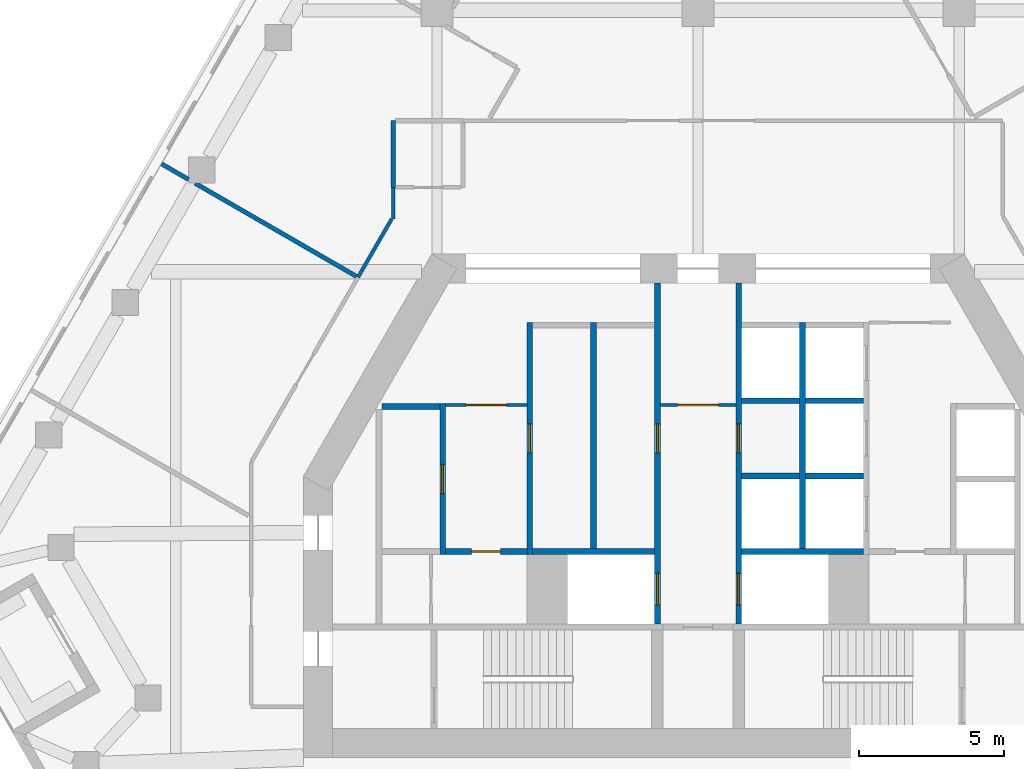
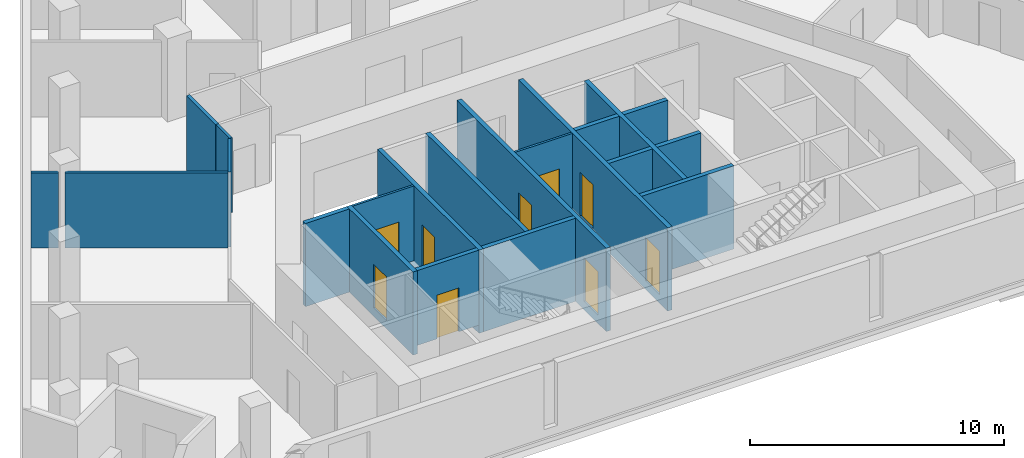
# One storey, part 3 of 8: 21 walls, 9 doors, 9 openings.
"""IFC4 building model written with IfcOpenShell, lengths in metres."""

from ifc_helpers import new_model, si_unit, direction, frame, frame_2d, origin, place, context, subcontext, project, spatial, rectangle, extrude, material, layer, layer_set, type_object, element, fill, save


model = new_model("IFC4")

# Units and contexts
model_context = context("Model", 3, precision=1e-05, world=origin(), true_north=direction((0.0, 1.0)))
body_context = subcontext(model_context, "Body", "Model", "MODEL_VIEW")
ifc_project = project(units=[si_unit("LENGTHUNIT", "METRE"), si_unit("AREAUNIT", "SQUARE_METRE"), si_unit("VOLUMEUNIT", "CUBIC_METRE"), si_unit("PLANEANGLEUNIT", "RADIAN"), si_unit("MASSUNIT", "GRAM", prefix="KILO")], contexts=[model_context])

# Site, building, storey
site_placement = place(None, origin())
site = spatial("IfcSite", under=ifc_project, at=site_placement, CompositionType="ELEMENT")
building_placement = place(site_placement, origin())
building = spatial("IfcBuilding", under=site, at=building_placement, Name="Fogline Exchange Tower", CompositionType="ELEMENT")
storey_placement = place(building_placement, frame((0.0, 0.0, 231.5)))
storey = spatial("IfcBuildingStorey", under=building, at=storey_placement, Name="L52", CompositionType="ELEMENT", Elevation=231.5)

# Wall, opening, door
ifc_material_1 = material(Name="Blockwork partition", Category="masonry")
ifc_layer_1 = layer(ifc_material_1, 0.10009765625)
ifc_layer_set_1 = layer_set([ifc_layer_1], Name="CW10")
wall_type_1 = type_object("IfcWallType", Name="CW10", PredefinedType="PARTITIONING", material=ifc_layer_set_1)
wall_1_placement = place(storey_placement, frame((-8.699951171875, 13.39990234375, 0.0), z_axis=(0.0, 0.0, 1.0), x_axis=(1.0, 0.0, 0.0)))
wall_1 = element("IfcWall", 1, at=wall_1_placement, inside=storey, type_object=wall_type_1, Name="Lift lobby partition", PredefinedType="PARTITIONING", context=body_context, shape_type="SweptSolid", body=[
    extrude(rectangle(XDim=2.800048828125, YDim=0.10009765625, at=frame_2d((1.39990234375, 0.0))), origin(), (0.0, 0.0, 1.0), 3.60009765625),
])
opening_1_placement = place(wall_1_placement, frame((0.699951171875, 0.0, 0.0)))
opening_1 = element("IfcOpeningElement", 2, at=opening_1_placement, cuts=wall_1, Name="Opening T16-C006", PredefinedType="OPENING", context=body_context, shape_type="SweptSolid", body=[
    extrude(rectangle(XDim=1.39990234375, YDim=2.10009765625, at=frame_2d((0.699951171875, 1.050048828125))), frame((0.0, 0.06005859375, 0.0), z_axis=(0.0, -1.0, 0.0), x_axis=(1.0, 0.0, 0.0)), (0.0, 0.0, 1.0), 0.1201171875),
])
ifc_material_2 = material(Name="Steel and timber fire door", Category="steel")
door_type_1 = type_object("IfcDoorType", Name="D-LB1", OperationType="DOUBLE_DOOR_SINGLE_SWING", PredefinedType="DOOR", material=ifc_material_2)
door_1_placement = place(opening_1_placement, frame((1.39990234375, 0.0, 0.0), z_axis=(0.0, 0.0, 1.0), x_axis=(-1.0, 0.0, 0.0)))
door_1 = element("IfcDoor", 3, at=door_1_placement, inside=storey, type_object=door_type_1, Name="Door to lift lobby", OperationType="DOUBLE_DOOR_SINGLE_SWING", OverallHeight=2.10009765625, OverallWidth=1.39990234375, PredefinedType="DOOR", context=body_context, shape_type="SweptSolid", body=[
    extrude(rectangle(XDim=1.39990234375, YDim=2.10009765625, at=frame_2d((0.699951171875, 1.050048828125))), frame((0.0, 0.02490234375, 0.0), z_axis=(0.0, -1.0, 0.0), x_axis=(1.0, 0.0, 0.0)), (0.0, 0.0, 1.0), 0.050048828125),
])
fill(opening_1, door_1)

wall_2_placement = place(storey_placement, frame((-1.300048828125, 13.39990234375, 0.0), z_axis=(0.0, 0.0, 1.0), x_axis=(1.0, 0.0, 0.0)))
wall_2 = element("IfcWall", 4, at=wall_2_placement, inside=storey, type_object=wall_type_1, Name="Lift lobby partition", PredefinedType="PARTITIONING", context=body_context, shape_type="SweptSolid", body=[
    extrude(rectangle(XDim=2.60009765625, YDim=0.10009765625, at=frame_2d((1.300048828125, 0.0))), origin(), (0.0, 0.0, 1.0), 3.60009765625),
])
opening_2_placement = place(wall_2_placement, frame((0.60009765625, 0.0, 0.0)))
opening_2 = element("IfcOpeningElement", 5, at=opening_2_placement, cuts=wall_2, Name="Opening T16-C018", PredefinedType="OPENING", context=body_context, shape_type="SweptSolid", body=[
    extrude(rectangle(XDim=1.39990234375, YDim=2.10009765625, at=frame_2d((0.699951171875, 1.050048828125))), frame((0.0, 0.06005859375, 0.0), z_axis=(0.0, -1.0, 0.0), x_axis=(1.0, 0.0, 0.0)), (0.0, 0.0, 1.0), 0.1201171875),
])
door_2_placement = place(opening_2_placement, origin())
door_2 = element("IfcDoor", 6, at=door_2_placement, inside=storey, type_object=door_type_1, Name="Door to firefighting lift lobby", OperationType="DOUBLE_DOOR_SINGLE_SWING", OverallHeight=2.10009765625, OverallWidth=1.39990234375, PredefinedType="DOOR", context=body_context, shape_type="SweptSolid", body=[
    extrude(rectangle(XDim=1.39990234375, YDim=2.10009765625, at=frame_2d((0.699951171875, 1.050048828125))), frame((0.0, 0.02490234375, 0.0), z_axis=(0.0, -1.0, 0.0), x_axis=(1.0, 0.0, 0.0)), (0.0, 0.0, 1.0), 0.050048828125),
])
fill(opening_2, door_2)

ifc_material_3 = material(Name="Concrete C40", Category="concrete")
ifc_layer_2 = layer(ifc_material_3, 0.199951171875)
ifc_layer_set_2 = layer_set([ifc_layer_2], Name="CW20")
wall_type_2 = type_object("IfcWallType", Name="CW20", PredefinedType="SOLIDWALL", material=ifc_layer_set_2)
wall_3_placement = place(storey_placement, frame((-8.699951171875, 8.35009765625, 0.0), z_axis=(0.0, 0.0, 1.0), x_axis=(1.0, 0.0, 0.0)))
wall_3 = element("IfcWall", 7, at=wall_3_placement, inside=storey, type_object=wall_type_2, Name="WC wall", PredefinedType="SOLIDWALL", context=body_context, shape_type="SweptSolid", body=[
    extrude(rectangle(XDim=2.800048828125, YDim=0.199951171875, at=frame_2d((1.39990234375, 0.0))), origin(), (0.0, 0.0, 1.0), 3.60009765625),
])
opening_3_placement = place(wall_3_placement, frame((0.89990234375, 0.0, 0.0)))
opening_3 = element("IfcOpeningElement", 8, at=opening_3_placement, cuts=wall_3, Name="Opening T16-C007", PredefinedType="OPENING", context=body_context, shape_type="SweptSolid", body=[
    extrude(rectangle(XDim=1.0, YDim=2.10009765625, at=frame_2d((0.5, 1.050048828125))), frame((0.0, 0.10986328125, 0.0), z_axis=(0.0, -1.0, 0.0), x_axis=(1.0, 0.0, 0.0)), (0.0, 0.0, 1.0), 0.219970703125),
])
door_type_2 = type_object("IfcDoorType", Name="D-WC1", OperationType="SINGLE_SWING_LEFT", PredefinedType="DOOR", material=ifc_material_2)
door_3_placement = place(opening_3_placement, frame((1.0, 0.0, 0.0), z_axis=(0.0, 0.0, 1.0), x_axis=(-1.0, 0.0, 0.0)))
door_3 = element("IfcDoor", 9, at=door_3_placement, inside=storey, type_object=door_type_2, Name="Door to Men's WC", OperationType="SINGLE_SWING_LEFT", OverallHeight=2.10009765625, OverallWidth=1.0, PredefinedType="DOOR", context=body_context, shape_type="SweptSolid", body=[
    extrude(rectangle(XDim=1.0, YDim=2.10009765625, at=frame_2d((0.5, 1.050048828125))), frame((0.0, 0.02490234375, 0.0), z_axis=(0.0, -1.0, 0.0), x_axis=(1.0, 0.0, 0.0)), (0.0, 0.0, 1.0), 0.050048828125),
])
fill(opening_3, door_3)

ifc_layer_3 = layer(ifc_material_3, 0.199951171875)
ifc_layer_set_3 = layer_set([ifc_layer_3], Name="CW20S")
wall_type_3 = type_object("IfcWallType", Name="CW20S", PredefinedType="SOLIDWALL", material=ifc_layer_set_3)
wall_4_placement = place(storey_placement, frame((-8.800048828125, 8.25, -0.39990234375), z_axis=(0.0, 0.0, 1.0), x_axis=(0.0, 1.0, 0.0)))
wall_4 = element("IfcWall", 10, at=wall_4_placement, inside=storey, type_object=wall_type_3, Name="Lift shaft wall", PredefinedType="SOLIDWALL", context=body_context, shape_type="SweptSolid", body=[
    extrude(rectangle(XDim=5.199951171875, YDim=0.199951171875, at=frame_2d((2.60009765625, 0.0))), origin(), (0.0, 0.0, 1.0), 4.0),
])
opening_4_placement = place(wall_4_placement, frame((2.10009765625, 0.0, 0.39990234375)))
opening_4 = element("IfcOpeningElement", 11, at=opening_4_placement, cuts=wall_4, Name="Opening T16-C001", PredefinedType="OPENING", context=body_context, shape_type="SweptSolid", body=[
    extrude(rectangle(XDim=1.0, YDim=2.10009765625, at=frame_2d((0.5, 1.050048828125))), frame((0.0, 0.10986328125, 0.0), z_axis=(0.0, -1.0, 0.0), x_axis=(1.0, 0.0, 0.0)), (0.0, 0.0, 1.0), 0.219970703125),
])
door_type_3 = type_object("IfcDoorType", Name="D-RM1", OperationType="SINGLE_SWING_LEFT", PredefinedType="DOOR", material=ifc_material_2)
door_4_placement = place(opening_4_placement, origin())
door_4 = element("IfcDoor", 12, at=door_4_placement, inside=storey, type_object=door_type_3, Name="Door to Records Room", OperationType="SINGLE_SWING_RIGHT", OverallHeight=2.10009765625, OverallWidth=1.0, PredefinedType="DOOR", context=body_context, shape_type="SweptSolid", body=[
    extrude(rectangle(XDim=1.0, YDim=2.10009765625, at=frame_2d((0.5, 1.050048828125))), frame((0.0, 0.02490234375, 0.0), z_axis=(0.0, -1.0, 0.0), x_axis=(1.0, 0.0, 0.0)), (0.0, 0.0, 1.0), 0.050048828125),
])
fill(opening_4, door_4)

wall_5_placement = place(storey_placement, frame((-5.800048828125, 8.25, -0.39990234375), z_axis=(0.0, 0.0, 1.0), x_axis=(0.0, 1.0, 0.0)))
wall_5 = element("IfcWall", 13, at=wall_5_placement, inside=storey, type_object=wall_type_3, Name="Lift shaft wall", PredefinedType="SOLIDWALL", context=body_context, shape_type="SweptSolid", body=[
    extrude(rectangle(XDim=8.0, YDim=0.199951171875, at=frame_2d((4.0, 0.0))), origin(), (0.0, 0.0, 1.0), 4.0),
])
opening_5_placement = place(wall_5_placement, frame((3.5, 0.0, 0.39990234375)))
opening_5 = element("IfcOpeningElement", 14, at=opening_5_placement, cuts=wall_5, Name="Opening T16-C002", PredefinedType="OPENING", context=body_context, shape_type="SweptSolid", body=[
    extrude(rectangle(XDim=1.0, YDim=2.10009765625, at=frame_2d((0.5, 1.050048828125))), frame((0.0, 0.10986328125, 0.0), z_axis=(0.0, -1.0, 0.0), x_axis=(1.0, 0.0, 0.0)), (0.0, 0.0, 1.0), 0.219970703125),
])
door_5_placement = place(opening_5_placement, frame((1.0, 0.0, 0.0), z_axis=(0.0, 0.0, 1.0), x_axis=(-1.0, 0.0, 0.0)))
door_5 = element("IfcDoor", 15, at=door_5_placement, inside=storey, type_object=door_type_3, Name="Door to Service Hall", OperationType="SINGLE_SWING_RIGHT", OverallHeight=2.10009765625, OverallWidth=1.0, PredefinedType="DOOR", context=body_context, shape_type="SweptSolid", body=[
    extrude(rectangle(XDim=1.0, YDim=2.10009765625, at=frame_2d((0.5, 1.050048828125))), frame((0.0, 0.02490234375, 0.0), z_axis=(0.0, -1.0, 0.0), x_axis=(1.0, 0.0, 0.0)), (0.0, 0.0, 1.0), 0.050048828125),
])
fill(opening_5, door_5)

# Walls
for number, where, z_axis, x_axis, name in (
    (16, (-3.60009765625, 8.449951171875, -0.39990234375), (0.0, 0.0, 1.0), (0.0, 1.0, 0.0), "Lift shaft wall"),
    (17, (3.60009765625, 8.449951171875, -0.39990234375), (0.0, 0.0, 1.0), (0.0, 1.0, 0.0), "Lift shaft wall"),
):
    element("IfcWall", number, at=place(storey_placement, frame(where, z_axis=z_axis, x_axis=x_axis)), inside=storey, type_object=wall_type_3, Name=name, PredefinedType="SOLIDWALL", context=body_context, shape_type="SweptSolid", body=[
        extrude(rectangle(XDim=7.800048828125, YDim=0.199951171875, at=frame_2d((3.89990234375, 0.0))), origin(), (0.0, 0.0, 1.0), 4.0),
    ])

# Wall, openings, doors
wall_6_placement = place(storey_placement, frame((-1.39990234375, 5.85009765625, -0.39990234375), z_axis=(0.0, 0.0, 1.0), x_axis=(0.0, 1.0, 0.0)))
wall_6 = element("IfcWall", 18, at=wall_6_placement, inside=storey, type_object=wall_type_3, Name="Lift lobby wall", PredefinedType="SOLIDWALL", context=body_context, shape_type="SweptSolid", body=[
    extrude(rectangle(XDim=11.75, YDim=0.199951171875, at=frame_2d((5.875, 0.0))), origin(), (0.0, 0.0, 1.0), 4.0),
])
opening_6_placement = place(wall_6_placement, frame((0.64990234375, 0.0, 0.39990234375)))
opening_6 = element("IfcOpeningElement", 19, at=opening_6_placement, cuts=wall_6, Name="Opening T16-LD01", PredefinedType="OPENING", context=body_context, shape_type="SweptSolid", body=[
    extrude(rectangle(XDim=1.10009765625, YDim=2.10009765625, at=frame_2d((0.550048828125, 1.050048828125))), frame((0.0, 0.10986328125, 0.0), z_axis=(0.0, -1.0, 0.0), x_axis=(1.0, 0.0, 0.0)), (0.0, 0.0, 1.0), 0.219970703125),
])
opening_7_placement = place(wall_6_placement, frame((5.89990234375, 0.0, 0.39990234375)))
opening_7 = element("IfcOpeningElement", 20, at=opening_7_placement, cuts=wall_6, Name="Opening T16-C003", PredefinedType="OPENING", context=body_context, shape_type="SweptSolid", body=[
    extrude(rectangle(XDim=1.0, YDim=2.10009765625, at=frame_2d((0.5, 1.050048828125))), frame((0.0, 0.10986328125, 0.0), z_axis=(0.0, -1.0, 0.0), x_axis=(1.0, 0.0, 0.0)), (0.0, 0.0, 1.0), 0.219970703125),
])
door_6_placement = place(opening_7_placement, origin())
door_6 = element("IfcDoor", 21, at=door_6_placement, inside=storey, type_object=door_type_3, Name="Door to Records Hall", OperationType="SINGLE_SWING_LEFT", OverallHeight=2.10009765625, OverallWidth=1.0, PredefinedType="DOOR", context=body_context, shape_type="SweptSolid", body=[
    extrude(rectangle(XDim=1.0, YDim=2.10009765625, at=frame_2d((0.5, 1.050048828125))), frame((0.0, 0.02490234375, 0.0), z_axis=(0.0, -1.0, 0.0), x_axis=(1.0, 0.0, 0.0)), (0.0, 0.0, 1.0), 0.050048828125),
])
fill(opening_7, door_6)
door_type_4 = type_object("IfcDoorType", Name="LD2", OperationType="SLIDING_TO_RIGHT", PredefinedType="DOOR", material=ifc_material_2)
door_7_placement = place(opening_6_placement, origin())
door_7 = element("IfcDoor", 22, at=door_7_placement, inside=storey, type_object=door_type_4, Name="Landing door FF1", OperationType="SLIDING_TO_RIGHT", OverallHeight=2.10009765625, OverallWidth=1.10009765625, PredefinedType="DOOR", context=body_context, shape_type="SweptSolid", body=[
    extrude(rectangle(XDim=1.10009765625, YDim=2.10009765625, at=frame_2d((0.550048828125, 1.050048828125))), frame((0.0, 0.02490234375, 0.0), z_axis=(0.0, -1.0, 0.0), x_axis=(1.0, 0.0, 0.0)), (0.0, 0.0, 1.0), 0.050048828125),
])
fill(opening_6, door_7)

wall_7_placement = place(storey_placement, frame((1.39990234375, 5.85009765625, -0.39990234375), z_axis=(0.0, 0.0, 1.0), x_axis=(0.0, 1.0, 0.0)))
wall_7 = element("IfcWall", 23, at=wall_7_placement, inside=storey, type_object=wall_type_3, Name="Lift lobby wall", PredefinedType="SOLIDWALL", context=body_context, shape_type="SweptSolid", body=[
    extrude(rectangle(XDim=11.75, YDim=0.199951171875, at=frame_2d((5.875, 0.0))), origin(), (0.0, 0.0, 1.0), 4.0),
])
opening_8_placement = place(wall_7_placement, frame((0.64990234375, 0.0, 0.39990234375)))
opening_8 = element("IfcOpeningElement", 24, at=opening_8_placement, cuts=wall_7, Name="Opening T16-LD05", PredefinedType="OPENING", context=body_context, shape_type="SweptSolid", body=[
    extrude(rectangle(XDim=1.10009765625, YDim=2.10009765625, at=frame_2d((0.550048828125, 1.050048828125))), frame((0.0, 0.10986328125, 0.0), z_axis=(0.0, -1.0, 0.0), x_axis=(1.0, 0.0, 0.0)), (0.0, 0.0, 1.0), 0.219970703125),
])
opening_9_placement = place(wall_7_placement, frame((5.89990234375, 0.0, 0.39990234375)))
opening_9 = element("IfcOpeningElement", 25, at=opening_9_placement, cuts=wall_7, Name="Opening T16-C004", PredefinedType="OPENING", context=body_context, shape_type="SweptSolid", body=[
    extrude(rectangle(XDim=1.0, YDim=2.10009765625, at=frame_2d((0.5, 1.050048828125))), frame((0.0, 0.10986328125, 0.0), z_axis=(0.0, -1.0, 0.0), x_axis=(1.0, 0.0, 0.0)), (0.0, 0.0, 1.0), 0.219970703125),
])
door_8_placement = place(opening_9_placement, frame((1.0, 0.0, 0.0), z_axis=(0.0, 0.0, 1.0), x_axis=(-1.0, 0.0, 0.0)))
door_8 = element("IfcDoor", 26, at=door_8_placement, inside=storey, type_object=door_type_3, Name="Door to Plant Room", OperationType="SINGLE_SWING_RIGHT", OverallHeight=2.10009765625, OverallWidth=1.0, PredefinedType="DOOR", context=body_context, shape_type="SweptSolid", body=[
    extrude(rectangle(XDim=1.0, YDim=2.10009765625, at=frame_2d((0.5, 1.050048828125))), frame((0.0, 0.02490234375, 0.0), z_axis=(0.0, -1.0, 0.0), x_axis=(1.0, 0.0, 0.0)), (0.0, 0.0, 1.0), 0.050048828125),
])
fill(opening_9, door_8)
door_9_placement = place(opening_8_placement, origin())
door_9 = element("IfcDoor", 27, at=door_9_placement, inside=storey, type_object=door_type_4, Name="Landing door FF2", OperationType="SLIDING_TO_RIGHT", OverallHeight=2.10009765625, OverallWidth=1.10009765625, PredefinedType="DOOR", context=body_context, shape_type="SweptSolid", body=[
    extrude(rectangle(XDim=1.10009765625, YDim=2.10009765625, at=frame_2d((0.550048828125, 1.050048828125))), frame((0.0, 0.02490234375, 0.0), z_axis=(0.0, -1.0, 0.0), x_axis=(1.0, 0.0, 0.0)), (0.0, 0.0, 1.0), 0.050048828125),
])
fill(opening_8, door_9)

# Walls
for number, where, z_axis, x_axis, name in (
    (28, (-5.699951171875, 8.35009765625, -0.39990234375), (0.0, 0.0, 1.0), (1.0, 0.0, 0.0), "Lift shaft wall"),
    (29, (1.5, 8.35009765625, -0.39990234375), (0.0, 0.0, 1.0), (1.0, 0.0, 0.0), "Lift shaft wall"),
):
    element("IfcWall", number, at=place(storey_placement, frame(where, z_axis=z_axis, x_axis=x_axis)), inside=storey, type_object=wall_type_3, Name=name, PredefinedType="SOLIDWALL", context=body_context, shape_type="SweptSolid", body=[
        extrude(rectangle(XDim=4.199951171875, YDim=0.199951171875, at=frame_2d((2.10009765625, 0.0))), origin(), (0.0, 0.0, 1.0), 4.0),
    ])
for number, where, z_axis, x_axis, name in (
    (30, (-10.89990234375, 13.35009765625, -0.39990234375), (0.0, 0.0, 1.0), (1.0, 0.0, 0.0), "Lift shaft wall"),
    (31, (3.699951171875, 10.949951171875, -0.39990234375), (0.0, 0.0, 1.0), (1.0, 0.0, 0.0), "Lift shaft wall"),
    (32, (3.699951171875, 13.550048828125, -0.39990234375), (0.0, 0.0, 1.0), (1.0, 0.0, 0.0), "Lift shaft wall"),
    (33, (1.5, 10.949951171875, -0.39990234375), (0.0, 0.0, 1.0), (1.0, 0.0, 0.0), "Lift shaft wall"),
    (34, (1.5, 13.550048828125, -0.39990234375), (0.0, 0.0, 1.0), (1.0, 0.0, 0.0), "Lift shaft wall"),
):
    element("IfcWall", number, at=place(storey_placement, frame(where, z_axis=z_axis, x_axis=x_axis)), inside=storey, type_object=wall_type_3, Name=name, PredefinedType="SOLIDWALL", context=body_context, shape_type="SweptSolid", body=[
        extrude(rectangle(XDim=2.0, YDim=0.199951171875, at=frame_2d((1.0, 0.0))), origin(), (0.0, 0.0, 1.0), 4.0),
    ])
ifc_material_4 = material(Name="Plasterboard corridor partition with mineral wool, 2 layers each side")
ifc_layer_4 = layer(ifc_material_4, 0.125)
ifc_layer_set_4 = layer_set([ifc_layer_4], Name="PW2")
wall_type_4 = type_object("IfcWallType", Name="PW2", PredefinedType="PARTITIONING", material=ifc_layer_set_4)
wall_8_placement = place(storey_placement, frame((-10.5, 19.80615234375, 0.0), z_axis=(0.0, 0.0, 1.0), x_axis=(0.0, 1.0, 0.0)))
element("IfcWall", 35, at=wall_8_placement, inside=storey, type_object=wall_type_4, Name="wall-L52-W008", PredefinedType="PARTITIONING", context=body_context, shape_type="SweptSolid", body=[
    extrude(rectangle(XDim=1.09375, YDim=0.125, at=frame_2d((0.546875, 0.0))), origin(), (0.0, 0.0, 1.0), 3.60009765625),
])
wall_9_placement = place(storey_placement, frame((-11.719482421875, 17.802490234375, 0.0), z_axis=(0.0, 0.0, 1.0), x_axis=(0.500008624609, 0.866020424307, 0.0)))
element("IfcWall", 36, at=wall_9_placement, inside=storey, type_object=wall_type_4, Name="wall-L52-W012", PredefinedType="PARTITIONING", context=body_context, shape_type="SweptSolid", body=[
    extrude(rectangle(XDim=2.31396484375, YDim=0.125, at=frame_2d((1.156982421875, 0.0))), origin(), (0.0, 0.0, 1.0), 3.60009765625),
])
ifc_material_5 = material(Name="Plasterboard demising partition with mineral wool and acoustic board")
ifc_layer_5 = layer(ifc_material_5, 0.14990234375)
ifc_layer_set_5 = layer_set([ifc_layer_5], Name="PW3")
wall_type_5 = type_object("IfcWallType", Name="PW3", PredefinedType="PARTITIONING", material=ifc_layer_set_5)
wall_10_placement = place(storey_placement, frame((-10.5, 23.199951171875, 0.0), z_axis=(0.0, 0.0, 1.0), x_axis=(0.0, -1.0, 0.0)))
element("IfcWall", 37, at=wall_10_placement, inside=storey, type_object=wall_type_5, Name="wall-L52-W041", PredefinedType="PARTITIONING", context=body_context, shape_type="SweptSolid", body=[
    extrude(rectangle(XDim=2.300048828125, YDim=0.14990234375, at=frame_2d((1.14990234375, 0.0))), origin(), (0.0, 0.0, 1.0), 3.60009765625),
])
wall_11_placement = place(storey_placement, frame((-11.773681640625, 17.833740234375, 0.0), z_axis=(0.0, 0.0, 1.0), x_axis=(-0.866027912795, 0.499995654241, 0.0)))
element("IfcWall", 38, at=wall_11_placement, inside=storey, type_object=wall_type_5, Name="wall-L52-W042", PredefinedType="PARTITIONING", context=body_context, shape_type="SweptSolid", body=[
    extrude(rectangle(XDim=6.42041015625, YDim=0.14990234375, at=frame_2d((3.210205078125, 0.0))), origin(), (0.0, 0.0, 1.0), 3.60009765625),
])
wall_12_placement = place(storey_placement, frame((-17.55517578125, 21.171630859375, 0.0), z_axis=(0.0, 0.0, 1.0), x_axis=(-0.86605716012, 0.499944992379, 0.0)))
element("IfcWall", 39, at=wall_12_placement, inside=storey, type_object=wall_type_5, Name="wall-L52-W043", PredefinedType="PARTITIONING", context=body_context, shape_type="SweptSolid", body=[
    extrude(rectangle(XDim=1.076171875, YDim=0.14990234375, at=frame_2d((0.5380859375, 0.0))), origin(), (0.0, 0.0, 1.0), 3.60009765625),
])

save(model, "model.ifc")
